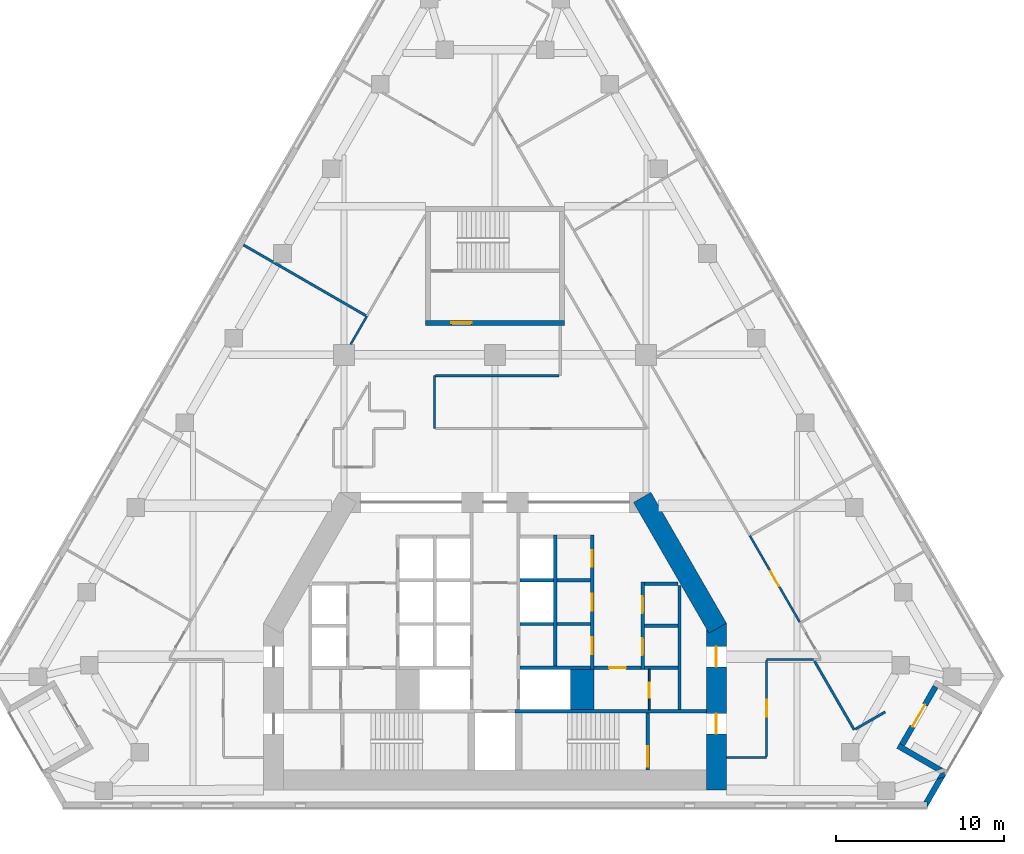
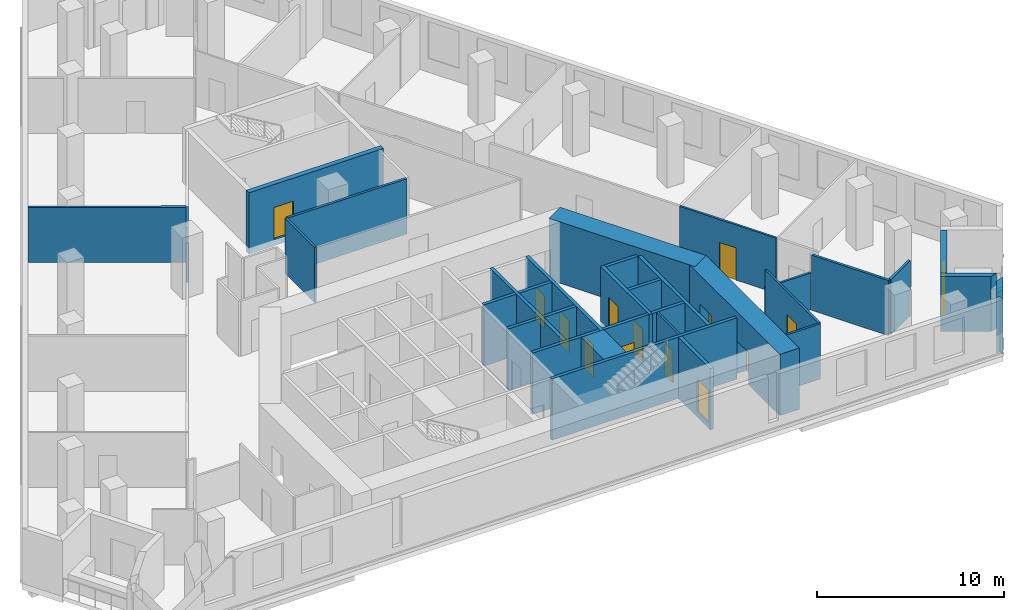
# One storey, part 6 of 10: 34 walls, 14 doors, 14 openings.
"""IFC4 building model written with IfcOpenShell, lengths in metres."""

from ifc_helpers import new_model, si_unit, direction, frame, frame_2d, origin, place, context, subcontext, project, spatial, polyline, rectangle, outline, extrude, material, layer, layer_set, type_object, element, fill, save


model = new_model("IFC4")

# Units and contexts
model_context = context("Model", 3, precision=1e-05, world=origin(), true_north=direction((0.0, 1.0)))
body_context = subcontext(model_context, "Body", "Model", "MODEL_VIEW")
ifc_project = project(units=[si_unit("LENGTHUNIT", "METRE"), si_unit("AREAUNIT", "SQUARE_METRE"), si_unit("VOLUMEUNIT", "CUBIC_METRE"), si_unit("PLANEANGLEUNIT", "RADIAN"), si_unit("MASSUNIT", "GRAM", prefix="KILO")], contexts=[model_context])

# Site, building, storey
site_placement = place(None, origin())
site = spatial("IfcSite", under=ifc_project, at=site_placement, CompositionType="ELEMENT")
building_placement = place(site_placement, origin())
building = spatial("IfcBuilding", under=site, at=building_placement, Name="Fogline Exchange Tower", CompositionType="ELEMENT")
storey_placement = place(building_placement, frame((0.0, 0.0, 112.10009765625)))
storey = spatial("IfcBuildingStorey", under=building, at=storey_placement, Name="L24", CompositionType="ELEMENT", Elevation=112.10009765625)

# Wall, opening, door
ifc_material_1 = material(Name="Blockwork partition", Category="masonry")
ifc_layer_1 = layer(ifc_material_1, 0.10009765625)
ifc_layer_set_1 = layer_set([ifc_layer_1], Name="CW10")
wall_type_1 = type_object("IfcWallType", Name="CW10", PredefinedType="PARTITIONING", material=ifc_layer_set_1)
wall_1_placement = place(storey_placement, frame((9.199951171875, 5.85009765625, 0.0), z_axis=(0.0, 0.0, 1.0), x_axis=(0.0, 1.0, 0.0)))
wall_1 = element("IfcWall", 1, at=wall_1_placement, inside=storey, type_object=wall_type_1, Name="WC partition", PredefinedType="PARTITIONING", context=body_context, shape_type="SweptSolid", body=[
    extrude(rectangle(XDim=2.39990234375, YDim=0.10009765625, at=frame_2d((1.199951171875, 0.0))), origin(), (0.0, 0.0, 1.0), 3.599853515625),
])
opening_1_placement = place(wall_1_placement, frame((0.699951171875, 0.0, 0.0)))
opening_1 = element("IfcOpeningElement", 2, at=opening_1_placement, cuts=wall_1, Name="Opening T07-C014", PredefinedType="OPENING", context=body_context, shape_type="SweptSolid", body=[
    extrude(rectangle(XDim=0.89990234375, YDim=2.10009765625, at=frame_2d((0.449951171875, 1.050048828125))), frame((0.0, 0.06005859375, 0.0), z_axis=(0.0, -1.0, 0.0), x_axis=(1.0, 0.0, 0.0)), (0.0, 0.0, 1.0), 0.1201171875),
])
ifc_material_2 = material(Name="Steel and timber fire door", Category="steel")
door_type_1 = type_object("IfcDoorType", Name="D-CS1", OperationType="SINGLE_SWING_RIGHT", PredefinedType="DOOR", material=ifc_material_2)
door_1_placement = place(opening_1_placement, frame((0.89990234375, 0.0, 0.0), z_axis=(0.0, 0.0, 1.0), x_axis=(-1.0, 0.0, 0.0)))
door_1 = element("IfcDoor", 3, at=door_1_placement, inside=storey, type_object=door_type_1, Name="Door to Cleaner's Store", OperationType="SINGLE_SWING_RIGHT", OverallHeight=2.10009765625, OverallWidth=0.89990234375, PredefinedType="DOOR", context=body_context, shape_type="SweptSolid", body=[
    extrude(rectangle(XDim=0.89990234375, YDim=2.10009765625, at=frame_2d((0.449951171875, 1.050048828125))), frame((0.0, 0.02490234375, 0.0), z_axis=(0.0, -1.0, 0.0), x_axis=(1.0, 0.0, 0.0)), (0.0, 0.0, 1.0), 0.050048828125),
])
fill(opening_1, door_1)

# Walls
ifc_material_3 = material(Name="Concrete C60", Category="concrete")
ifc_layer_2 = layer(ifc_material_3, 1.39990234375)
ifc_layer_set_2 = layer_set([ifc_layer_2], Name="CW140")
wall_type_2 = type_object("IfcWallType", Name="CW140", PredefinedType="SOLIDWALL", material=ifc_layer_set_2)
wall_2_placement = place(storey_placement, frame((5.199951171875, 5.85009765625, -0.400146484375), z_axis=(0.0, 0.0, 1.0), x_axis=(0.0, 1.0, 0.0)))
element("IfcWall", 4, at=wall_2_placement, inside=storey, type_object=wall_type_2, Name="Lift shaft block wall", PredefinedType="SOLIDWALL", context=body_context, shape_type="SweptSolid", body=[
    extrude(rectangle(XDim=2.39990234375, YDim=1.39990234375, at=frame_2d((1.199951171875, 0.0))), origin(), (0.0, 0.0, 1.0), 4.0),
])
ifc_material_4 = material(Name="Concrete C40", Category="concrete")
ifc_layer_3 = layer(ifc_material_4, 0.199951171875)
ifc_layer_set_3 = layer_set([ifc_layer_3], Name="CW20")
wall_type_3 = type_object("IfcWallType", Name="CW20", PredefinedType="SOLIDWALL", material=ifc_layer_set_3)
wall_3_placement = place(storey_placement, frame((11.0, 5.85009765625, 0.0), z_axis=(0.0, 0.0, 1.0), x_axis=(0.0, 1.0, 0.0)))
element("IfcWall", 5, at=wall_3_placement, inside=storey, type_object=wall_type_3, Name="Service room wall", PredefinedType="SOLIDWALL", context=body_context, shape_type="SweptSolid", body=[
    extrude(rectangle(XDim=7.39990234375, YDim=0.199951171875, at=frame_2d((3.699951171875, 0.0))), origin(), (0.0, 0.0, 1.0), 3.599853515625),
])

# Wall, opening, door
wall_4_placement = place(storey_placement, frame((5.89990234375, 8.35009765625, 0.0), z_axis=(0.0, 0.0, 1.0), x_axis=(1.0, 0.0, 0.0)))
wall_4 = element("IfcWall", 6, at=wall_4_placement, inside=storey, type_object=wall_type_3, Name="WC wall", PredefinedType="SOLIDWALL", context=body_context, shape_type="SweptSolid", body=[
    extrude(rectangle(XDim=2.800048828125, YDim=0.199951171875, at=frame_2d((1.39990234375, 0.0))), origin(), (0.0, 0.0, 1.0), 3.599853515625),
])
opening_2_placement = place(wall_4_placement, frame((0.89990234375, 0.0, 0.0)))
opening_2 = element("IfcOpeningElement", 7, at=opening_2_placement, cuts=wall_4, Name="Opening T07-C013", PredefinedType="OPENING", context=body_context, shape_type="SweptSolid", body=[
    extrude(rectangle(XDim=1.0, YDim=2.10009765625, at=frame_2d((0.5, 1.050048828125))), frame((0.0, 0.10986328125, 0.0), z_axis=(0.0, -1.0, 0.0), x_axis=(1.0, 0.0, 0.0)), (0.0, 0.0, 1.0), 0.219970703125),
])
door_type_2 = type_object("IfcDoorType", Name="D-WC1", OperationType="SINGLE_SWING_LEFT", PredefinedType="DOOR", material=ifc_material_2)
door_2_placement = place(opening_2_placement, frame((1.0, 0.0, 0.0), z_axis=(0.0, 0.0, 1.0), x_axis=(-1.0, 0.0, 0.0)))
door_2 = element("IfcDoor", 8, at=door_2_placement, inside=storey, type_object=door_type_2, Name="Door to Women's WC", OperationType="SINGLE_SWING_LEFT", OverallHeight=2.10009765625, OverallWidth=1.0, PredefinedType="DOOR", context=body_context, shape_type="SweptSolid", body=[
    extrude(rectangle(XDim=1.0, YDim=2.10009765625, at=frame_2d((0.5, 1.050048828125))), frame((0.0, 0.02490234375, 0.0), z_axis=(0.0, -1.0, 0.0), x_axis=(1.0, 0.0, 0.0)), (0.0, 0.0, 1.0), 0.050048828125),
])
fill(opening_2, door_2)

# Wall
ifc_layer_4 = layer(ifc_material_4, 0.199951171875)
ifc_layer_set_4 = layer_set([ifc_layer_4], Name="CW20R")
wall_type_4 = type_object("IfcWallType", Name="CW20R", PredefinedType="SOLIDWALL", material=ifc_layer_set_4)
wall_5_placement = place(storey_placement, frame((1.199951171875, 5.75, -0.400146484375), z_axis=(0.0, 0.0, 1.0), x_axis=(1.0, 0.0, 0.0)))
element("IfcWall", 9, at=wall_5_placement, inside=storey, type_object=wall_type_4, Name="Stair enclosure wall", PredefinedType="SOLIDWALL", context=body_context, shape_type="SweptSolid", body=[
    extrude(rectangle(XDim=11.400146484375, YDim=0.199951171875, at=frame_2d((5.7001953125, 0.0))), origin(), (0.0, 0.0, 1.0), 4.0),
])

# Wall, opening, door
wall_6_placement = place(storey_placement, frame((9.10009765625, 2.25, -0.400146484375), z_axis=(0.0, 0.0, 1.0), x_axis=(0.0, 1.0, 0.0)))
wall_6 = element("IfcWall", 10, at=wall_6_placement, inside=storey, type_object=wall_type_4, Name="Stair enclosure wall", PredefinedType="SOLIDWALL", context=body_context, shape_type="SweptSolid", body=[
    extrude(rectangle(XDim=3.39990234375, YDim=0.199951171875, at=frame_2d((1.699951171875, 0.0))), origin(), (0.0, 0.0, 1.0), 4.0),
])
opening_3_placement = place(wall_6_placement, frame((0.199951171875, 0.0, 0.39990234375)))
opening_3 = element("IfcOpeningElement", 11, at=opening_3_placement, cuts=wall_6, Name="Opening T07-C016", PredefinedType="OPENING", context=body_context, shape_type="SweptSolid", body=[
    extrude(rectangle(XDim=1.199951171875, YDim=2.10009765625, at=frame_2d((0.60009765625, 1.050048828125))), frame((0.0, 0.10986328125, 0.0), z_axis=(0.0, -1.0, 0.0), x_axis=(1.0, 0.0, 0.0)), (0.0, 0.0, 1.0), 0.219970703125),
])
door_type_3 = type_object("IfcDoorType", Name="D-ST1", OperationType="SINGLE_SWING_LEFT", PredefinedType="DOOR", material=ifc_material_2)
door_3_placement = place(opening_3_placement, origin())
door_3 = element("IfcDoor", 12, at=door_3_placement, inside=storey, type_object=door_type_3, Name="Stair door ST2", OperationType="SINGLE_SWING_LEFT", OverallHeight=2.10009765625, OverallWidth=1.199951171875, PredefinedType="DOOR", context=body_context, shape_type="SweptSolid", body=[
    extrude(rectangle(XDim=1.199951171875, YDim=2.10009765625, at=frame_2d((0.60009765625, 1.050048828125))), frame((0.0, 0.02490234375, 0.0), z_axis=(0.0, -1.0, 0.0), x_axis=(1.0, 0.0, 0.0)), (0.0, 0.0, 1.0), 0.050048828125),
])
fill(opening_3, door_3)

# Wall, openings, doors
ifc_layer_5 = layer(ifc_material_4, 0.199951171875)
ifc_layer_set_5 = layer_set([ifc_layer_5], Name="CW20S")
wall_type_5 = type_object("IfcWallType", Name="CW20S", PredefinedType="SOLIDWALL", material=ifc_layer_set_5)
wall_7_placement = place(storey_placement, frame((8.800048828125, 8.25, -0.400146484375), z_axis=(0.0, 0.0, 1.0), x_axis=(0.0, 1.0, 0.0)))
wall_7 = element("IfcWall", 13, at=wall_7_placement, inside=storey, type_object=wall_type_5, Name="Lift shaft wall", PredefinedType="SOLIDWALL", context=body_context, shape_type="SweptSolid", body=[
    extrude(rectangle(XDim=5.199951171875, YDim=0.199951171875, at=frame_2d((2.60009765625, 0.0))), origin(), (0.0, 0.0, 1.0), 4.0),
])
opening_4_placement = place(wall_7_placement, frame((0.85009765625, 0.0, 0.39990234375)))
opening_4 = element("IfcOpeningElement", 14, at=opening_4_placement, cuts=wall_7, Name="Opening T07-C001", PredefinedType="OPENING", context=body_context, shape_type="SweptSolid", body=[
    extrude(rectangle(XDim=1.0, YDim=2.10009765625, at=frame_2d((0.5, 1.050048828125))), frame((0.0, 0.10986328125, 0.0), z_axis=(0.0, -1.0, 0.0), x_axis=(1.0, 0.0, 0.0)), (0.0, 0.0, 1.0), 0.219970703125),
])
opening_5_placement = place(wall_7_placement, frame((3.35009765625, 0.0, 0.39990234375)))
opening_5 = element("IfcOpeningElement", 15, at=opening_5_placement, cuts=wall_7, Name="Opening T07-C002", PredefinedType="OPENING", context=body_context, shape_type="SweptSolid", body=[
    extrude(rectangle(XDim=1.0, YDim=2.10009765625, at=frame_2d((0.5, 1.050048828125))), frame((0.0, 0.10986328125, 0.0), z_axis=(0.0, -1.0, 0.0), x_axis=(1.0, 0.0, 0.0)), (0.0, 0.0, 1.0), 0.219970703125),
])
door_type_4 = type_object("IfcDoorType", Name="D-RM1", OperationType="SINGLE_SWING_LEFT", PredefinedType="DOOR", material=ifc_material_2)
door_4_placement = place(opening_4_placement, frame((1.0, 0.0, 0.0), z_axis=(0.0, 0.0, 1.0), x_axis=(-1.0, 0.0, 0.0)))
door_4 = element("IfcDoor", 16, at=door_4_placement, inside=storey, type_object=door_type_4, Name="Door to Stationery Store", OperationType="SINGLE_SWING_LEFT", OverallHeight=2.10009765625, OverallWidth=1.0, PredefinedType="DOOR", context=body_context, shape_type="SweptSolid", body=[
    extrude(rectangle(XDim=1.0, YDim=2.10009765625, at=frame_2d((0.5, 1.050048828125))), frame((0.0, 0.02490234375, 0.0), z_axis=(0.0, -1.0, 0.0), x_axis=(1.0, 0.0, 0.0)), (0.0, 0.0, 1.0), 0.050048828125),
])
fill(opening_4, door_4)
door_5_placement = place(opening_5_placement, frame((1.0, 0.0, 0.0), z_axis=(0.0, 0.0, 1.0), x_axis=(-1.0, 0.0, 0.0)))
door_5 = element("IfcDoor", 17, at=door_5_placement, inside=storey, type_object=door_type_4, Name="Door to Records Store", OperationType="SINGLE_SWING_LEFT", OverallHeight=2.10009765625, OverallWidth=1.0, PredefinedType="DOOR", context=body_context, shape_type="SweptSolid", body=[
    extrude(rectangle(XDim=1.0, YDim=2.10009765625, at=frame_2d((0.5, 1.050048828125))), frame((0.0, 0.02490234375, 0.0), z_axis=(0.0, -1.0, 0.0), x_axis=(1.0, 0.0, 0.0)), (0.0, 0.0, 1.0), 0.050048828125),
])
fill(opening_5, door_5)

wall_8_placement = place(storey_placement, frame((5.800048828125, 8.25, -0.400146484375), z_axis=(0.0, 0.0, 1.0), x_axis=(0.0, 1.0, 0.0)))
wall_8 = element("IfcWall", 18, at=wall_8_placement, inside=storey, type_object=wall_type_5, Name="Lift shaft wall", PredefinedType="SOLIDWALL", context=body_context, shape_type="SweptSolid", body=[
    extrude(rectangle(XDim=8.0, YDim=0.199951171875, at=frame_2d((4.0, 0.0))), origin(), (0.0, 0.0, 1.0), 4.0),
])
opening_6_placement = place(wall_8_placement, frame((0.89990234375, 0.0, 0.39990234375)))
opening_6 = element("IfcOpeningElement", 19, at=opening_6_placement, cuts=wall_8, Name="Opening T07-C003", PredefinedType="OPENING", context=body_context, shape_type="SweptSolid", body=[
    extrude(rectangle(XDim=1.0, YDim=2.10009765625, at=frame_2d((0.5, 1.050048828125))), frame((0.0, 0.10986328125, 0.0), z_axis=(0.0, -1.0, 0.0), x_axis=(1.0, 0.0, 0.0)), (0.0, 0.0, 1.0), 0.219970703125),
])
opening_7_placement = place(wall_8_placement, frame((3.5, 0.0, 0.39990234375)))
opening_7 = element("IfcOpeningElement", 20, at=opening_7_placement, cuts=wall_8, Name="Opening T07-C004", PredefinedType="OPENING", context=body_context, shape_type="SweptSolid", body=[
    extrude(rectangle(XDim=1.0, YDim=2.10009765625, at=frame_2d((0.5, 1.050048828125))), frame((0.0, 0.10986328125, 0.0), z_axis=(0.0, -1.0, 0.0), x_axis=(1.0, 0.0, 0.0)), (0.0, 0.0, 1.0), 0.219970703125),
])
opening_8_placement = place(wall_8_placement, frame((6.10009765625, 0.0, 0.39990234375)))
opening_8 = element("IfcOpeningElement", 21, at=opening_8_placement, cuts=wall_8, Name="Opening T07-C005", PredefinedType="OPENING", context=body_context, shape_type="SweptSolid", body=[
    extrude(rectangle(XDim=1.0, YDim=2.10009765625, at=frame_2d((0.5, 1.050048828125))), frame((0.0, 0.10986328125, 0.0), z_axis=(0.0, -1.0, 0.0), x_axis=(1.0, 0.0, 0.0)), (0.0, 0.0, 1.0), 0.219970703125),
])
door_6_placement = place(opening_6_placement, origin())
door_6 = element("IfcDoor", 22, at=door_6_placement, inside=storey, type_object=door_type_4, Name="Door to Riser Room", OperationType="SINGLE_SWING_RIGHT", OverallHeight=2.10009765625, OverallWidth=1.0, PredefinedType="DOOR", context=body_context, shape_type="SweptSolid", body=[
    extrude(rectangle(XDim=1.0, YDim=2.10009765625, at=frame_2d((0.5, 1.050048828125))), frame((0.0, 0.02490234375, 0.0), z_axis=(0.0, -1.0, 0.0), x_axis=(1.0, 0.0, 0.0)), (0.0, 0.0, 1.0), 0.050048828125),
])
fill(opening_6, door_6)
door_7_placement = place(opening_7_placement, origin())
door_7 = element("IfcDoor", 23, at=door_7_placement, inside=storey, type_object=door_type_4, Name="Door to Plant Room", OperationType="SINGLE_SWING_LEFT", OverallHeight=2.10009765625, OverallWidth=1.0, PredefinedType="DOOR", context=body_context, shape_type="SweptSolid", body=[
    extrude(rectangle(XDim=1.0, YDim=2.10009765625, at=frame_2d((0.5, 1.050048828125))), frame((0.0, 0.02490234375, 0.0), z_axis=(0.0, -1.0, 0.0), x_axis=(1.0, 0.0, 0.0)), (0.0, 0.0, 1.0), 0.050048828125),
])
fill(opening_7, door_7)
door_8_placement = place(opening_8_placement, origin())
door_8 = element("IfcDoor", 24, at=door_8_placement, inside=storey, type_object=door_type_4, Name="Door to Cable Store", OperationType="SINGLE_SWING_LEFT", OverallHeight=2.10009765625, OverallWidth=1.0, PredefinedType="DOOR", context=body_context, shape_type="SweptSolid", body=[
    extrude(rectangle(XDim=1.0, YDim=2.10009765625, at=frame_2d((0.5, 1.050048828125))), frame((0.0, 0.02490234375, 0.0), z_axis=(0.0, -1.0, 0.0), x_axis=(1.0, 0.0, 0.0)), (0.0, 0.0, 1.0), 0.050048828125),
])
fill(opening_8, door_8)

# Walls
wall_9_placement = place(storey_placement, frame((3.60009765625, 8.449951171875, -0.400146484375), z_axis=(0.0, 0.0, 1.0), x_axis=(0.0, 1.0, 0.0)))
element("IfcWall", 25, at=wall_9_placement, inside=storey, type_object=wall_type_5, Name="Lift shaft wall", PredefinedType="SOLIDWALL", context=body_context, shape_type="SweptSolid", body=[
    extrude(rectangle(XDim=7.800048828125, YDim=0.199951171875, at=frame_2d((3.89990234375, 0.0))), origin(), (0.0, 0.0, 1.0), 4.0),
])
wall_10_placement = place(storey_placement, frame((8.89990234375, 8.35009765625, -0.400146484375), z_axis=(0.0, 0.0, 1.0), x_axis=(1.0, 0.0, 0.0)))
element("IfcWall", 26, at=wall_10_placement, inside=storey, type_object=wall_type_5, Name="Lift shaft wall", PredefinedType="SOLIDWALL", context=body_context, shape_type="SweptSolid", body=[
    extrude(rectangle(XDim=2.0, YDim=0.199951171875, at=frame_2d((1.0, 0.0))), origin(), (0.0, 0.0, 1.0), 4.0),
])
wall_11_placement = place(storey_placement, frame((1.5, 8.35009765625, -0.400146484375), z_axis=(0.0, 0.0, 1.0), x_axis=(1.0, 0.0, 0.0)))
element("IfcWall", 27, at=wall_11_placement, inside=storey, type_object=wall_type_5, Name="Lift shaft wall", PredefinedType="SOLIDWALL", context=body_context, shape_type="SweptSolid", body=[
    extrude(rectangle(XDim=4.199951171875, YDim=0.199951171875, at=frame_2d((2.10009765625, 0.0))), origin(), (0.0, 0.0, 1.0), 4.0),
])
for number, where, z_axis, x_axis, name in (
    (28, (8.89990234375, 10.85009765625, -0.400146484375), (0.0, 0.0, 1.0), (1.0, 0.0, 0.0), "Lift shaft wall"),
    (29, (8.89990234375, 13.35009765625, -0.400146484375), (0.0, 0.0, 1.0), (1.0, 0.0, 0.0), "Lift shaft wall"),
    (30, (3.699951171875, 10.949951171875, -0.400146484375), (0.0, 0.0, 1.0), (1.0, 0.0, 0.0), "Lift shaft wall"),
    (31, (3.699951171875, 13.550048828125, -0.400146484375), (0.0, 0.0, 1.0), (1.0, 0.0, 0.0), "Lift shaft wall"),
    (32, (1.5, 10.949951171875, -0.400146484375), (0.0, 0.0, 1.0), (1.0, 0.0, 0.0), "Lift shaft wall"),
    (33, (1.5, 13.550048828125, -0.400146484375), (0.0, 0.0, 1.0), (1.0, 0.0, 0.0), "Lift shaft wall"),
):
    element("IfcWall", number, at=place(storey_placement, frame(where, z_axis=z_axis, x_axis=x_axis)), inside=storey, type_object=wall_type_5, Name=name, PredefinedType="SOLIDWALL", context=body_context, shape_type="SweptSolid", body=[
        extrude(rectangle(XDim=2.0, YDim=0.199951171875, at=frame_2d((1.0, 0.0))), origin(), (0.0, 0.0, 1.0), 4.0),
    ])

# Wall, opening, door
ifc_layer_6 = layer(ifc_material_4, 0.300048828125)
ifc_layer_set_6 = layer_set([ifc_layer_6], Name="CW30")
wall_type_6 = type_object("IfcWallType", Name="CW30", PredefinedType="SOLIDWALL", material=ifc_layer_set_6)
wall_12_placement = place(storey_placement, frame((-4.14990234375, 28.906982421875, -0.400146484375), z_axis=(0.0, 0.0, 1.0), x_axis=(1.0, 0.0, 0.0)))
wall_12 = element("IfcWall", 34, at=wall_12_placement, inside=storey, type_object=wall_type_6, Name="Stair enclosure wall ST3", PredefinedType="SOLIDWALL", context=body_context, shape_type="SweptSolid", body=[
    extrude(rectangle(XDim=8.2998046875, YDim=0.300048828125, at=frame_2d((4.14990234375, 0.0))), origin(), (0.0, 0.0, 1.0), 4.0),
])
opening_9_placement = place(wall_12_placement, frame((1.550048828125, 0.0, 0.39990234375)))
opening_9 = element("IfcOpeningElement", 35, at=opening_9_placement, cuts=wall_12, Name="Opening T07-C022", PredefinedType="OPENING", context=body_context, shape_type="SweptSolid", body=[
    extrude(rectangle(XDim=1.199951171875, YDim=2.10009765625, at=frame_2d((0.60009765625, 1.050048828125))), frame((0.0, 0.16015625, 0.0), z_axis=(0.0, -1.0, 0.0), x_axis=(1.0, 0.0, 0.0)), (0.0, 0.0, 1.0), 0.320068359375),
])
door_type_5 = type_object("IfcDoorType", Name="D-FR1", OperationType="SINGLE_SWING_RIGHT", PredefinedType="DOOR", material=ifc_material_2)
door_9_placement = place(opening_9_placement, origin())
door_9 = element("IfcDoor", 36, at=door_9_placement, inside=storey, type_object=door_type_5, Name="Front room door ST3", OperationType="SINGLE_SWING_LEFT", OverallHeight=2.10009765625, OverallWidth=1.199951171875, PredefinedType="DOOR", context=body_context, shape_type="SweptSolid", body=[
    extrude(rectangle(XDim=1.199951171875, YDim=2.10009765625, at=frame_2d((0.60009765625, 1.050048828125))), frame((0.0, 0.02490234375, 0.0), z_axis=(0.0, -1.0, 0.0), x_axis=(1.0, 0.0, 0.0)), (0.0, 0.0, 1.0), 0.050048828125),
])
fill(opening_9, door_9)

# Walls
ifc_material_5 = material(Name="Brick masonry", Category="masonry")
ifc_layer_7 = layer(ifc_material_5, 0.340087890625)
ifc_layer_set_7 = layer_set([ifc_layer_7], Name="FW1")
wall_type_7 = type_object("IfcWallType", Name="FW1", PredefinedType="SOLIDWALL", material=ifc_layer_set_7)
wall_13_placement = place(storey_placement, origin())
element("IfcWall", 37, at=wall_13_placement, inside=storey, type_object=wall_type_7, Name="Brick wall L24 SE-c1", PredefinedType="SOLIDWALL", context=body_context, shape_type="SweptSolid", body=[
    extrude(outline(polyline([(26.83203125, 1.845703125), (26.35009765625, 1.693359375), (26.55078125, 2.041015625), (26.81298828125, 2.111328125), (26.8740234375, 1.91845703125), (26.83203125, 1.845703125)])), origin(), (0.0, 0.0, 1.0), 2.7998046875),
])
wall_14_placement = place(storey_placement, origin())
element("IfcWall", 38, at=wall_14_placement, inside=storey, type_object=wall_type_7, Name="Brick wall L24 SE-c1", PredefinedType="SOLIDWALL", context=body_context, shape_type="SweptSolid", body=[
    extrude(outline(polyline([(25.765625, -0.001220703125), (25.76513671875, -0.0009765625), (25.76513671875, 0.33935546875), (25.568359375, 0.33935546875), (26.35009765625, 1.693359375), (26.83203125, 1.845703125), (25.765625, -0.001220703125)])), origin(), (0.0, 0.0, 1.0), 3.599853515625),
])
wall_15_placement = place(storey_placement, origin())
element("IfcWall", 39, at=wall_15_placement, inside=storey, type_object=wall_type_7, Name="Brick wall L24 SE-s1", PredefinedType="SOLIDWALL", context=body_context, shape_type="SweptSolid", body=[
    extrude(outline(polyline([(24.122802734375, 3.8359375), (24.41796875, 3.66552734375), (26.721923828125, 2.33544921875), (26.281005859375, 2.196044921875), (23.952392578125, 3.540283203125), (24.122802734375, 3.8359375)])), origin(), (0.0, 0.0, 1.0), 3.599853515625),
])

# Wall, opening, door
wall_16_placement = place(storey_placement, frame((24.270263671875, 3.75, 0.0), z_axis=(0.0, 0.0, 1.0), x_axis=(0.49999894854, 0.866026010844, 0.0)))
wall_16 = element("IfcWall", 40, at=wall_16_placement, inside=storey, type_object=wall_type_7, Name="Brick wall L24 SE-bk", PredefinedType="SOLIDWALL", context=body_context, shape_type="SweptSolid", body=[
    extrude(rectangle(XDim=4.0, YDim=0.340087890625, at=frame_2d((2.0, 0.0))), origin(), (0.0, 0.0, 1.0), 3.599853515625),
])
opening_10_placement = place(wall_16_placement, frame((1.25, 0.0, 0.0)))
opening_10 = element("IfcOpeningElement", 41, at=opening_10_placement, cuts=wall_16, Name="Opening T07-E081", PredefinedType="OPENING", context=body_context, shape_type="SweptSolid", body=[
    extrude(rectangle(XDim=1.5, YDim=2.39990234375, at=frame_2d((0.75, 1.199951171875))), frame((0.0, 0.18017578125, 0.0), z_axis=(0.0, -1.0, 0.0), x_axis=(1.0, 0.0, 0.0)), (0.0, 0.0, 1.0), 0.360107421875),
])
ifc_material_6 = material(Name="Aluminium and glass", Category="aluminium")
door_type_6 = type_object("IfcDoorType", Name="ED4", OperationType="SINGLE_SWING_LEFT", PredefinedType="DOOR", material=ifc_material_6)
door_10_placement = place(opening_10_placement, frame((1.5, 0.0, 0.0), z_axis=(0.0, 0.0, 1.0), x_axis=(-1.0, 0.0, 0.0)))
door_10 = element("IfcDoor", 42, at=door_10_placement, inside=storey, type_object=door_type_6, Name="Balcony door L24 SE", OperationType="DOUBLE_DOOR_SINGLE_SWING", OverallHeight=2.39990234375, OverallWidth=1.5, PredefinedType="DOOR", context=body_context, shape_type="SweptSolid", body=[
    extrude(rectangle(XDim=1.5, YDim=2.39990234375, at=frame_2d((0.75, 1.199951171875))), frame((0.0, 0.02490234375, 0.0), z_axis=(0.0, -1.0, 0.0), x_axis=(1.0, 0.0, 0.0)), (0.0, 0.0, 1.0), 0.050048828125),
])
fill(opening_10, door_10)

ifc_material_7 = material(Name="Plasterboard corridor partition with mineral wool, 2 layers each side")
ifc_layer_8 = layer(ifc_material_7, 0.125)
ifc_layer_set_8 = layer_set([ifc_layer_8], Name="PW2")
wall_type_8 = type_object("IfcWallType", Name="PW2", PredefinedType="PARTITIONING", material=ifc_layer_set_8)
wall_17_placement = place(storey_placement, frame((16.199951171875, 8.777587890625, 0.0), z_axis=(0.0, 0.0, 1.0), x_axis=(0.0, -1.0, 0.0)))
wall_17 = element("IfcWall", 43, at=wall_17_placement, inside=storey, type_object=wall_type_8, Name="wall-L24-W001", PredefinedType="PARTITIONING", context=body_context, shape_type="SweptSolid", body=[
    extrude(rectangle(XDim=5.715087890625, YDim=0.125, at=frame_2d((2.857421875, 0.0))), origin(), (0.0, 0.0, 1.0), 3.599853515625),
])
opening_11_placement = place(wall_17_placement, frame((2.357421875, 0.0, 0.0)))
opening_11 = element("IfcOpeningElement", 44, at=opening_11_placement, cuts=wall_17, Name="Opening T07-D001", PredefinedType="OPENING", context=body_context, shape_type="SweptSolid", body=[
    extrude(rectangle(XDim=1.0, YDim=2.10009765625, at=frame_2d((0.5, 1.050048828125))), frame((0.0, 0.072509765625, 0.0), z_axis=(0.0, -1.0, 0.0), x_axis=(1.0, 0.0, 0.0)), (0.0, 0.0, 1.0), 0.14501953125),
])
ifc_material_8 = material(Name="Fire-rated timber door leaf with steel frame", Category="steel")
door_type_7 = type_object("IfcDoorType", Name="D3", OperationType="SINGLE_SWING_LEFT", PredefinedType="DOOR", material=ifc_material_8)
door_11_placement = place(opening_11_placement, origin())
door_11 = element("IfcDoor", 45, at=door_11_placement, inside=storey, type_object=door_type_7, Name="door-L24-D001", OperationType="SINGLE_SWING_LEFT", OverallHeight=2.10009765625, OverallWidth=1.0, PredefinedType="DOOR", context=body_context, shape_type="SweptSolid", body=[
    extrude(rectangle(XDim=1.0, YDim=2.10009765625, at=frame_2d((0.5, 1.050048828125))), frame((0.0, 0.02490234375, 0.0), z_axis=(0.0, -1.0, 0.0), x_axis=(1.0, 0.0, 0.0)), (0.0, 0.0, 1.0), 0.050048828125),
])
fill(opening_11, door_11)

# Walls
wall_18_placement = place(storey_placement, frame((16.199951171875, 3.0, 0.0), z_axis=(0.0, 0.0, 1.0), x_axis=(-1.0, 0.0, 0.0)))
element("IfcWall", 46, at=wall_18_placement, inside=storey, type_object=wall_type_8, Name="wall-L24-W002", PredefinedType="PARTITIONING", context=body_context, shape_type="SweptSolid", body=[
    extrude(rectangle(XDim=2.39990234375, YDim=0.125, at=frame_2d((1.199951171875, 0.0))), origin(), (0.0, 0.0, 1.0), 3.599853515625),
])
wall_19_placement = place(storey_placement, frame((-8.60888671875, 27.625, 0.0), z_axis=(0.0, 0.0, 1.0), x_axis=(0.500027802648, 0.866009351323, 0.0)))
element("IfcWall", 47, at=wall_19_placement, inside=storey, type_object=wall_type_8, Name="wall-L24-W012", PredefinedType="PARTITIONING", context=body_context, shape_type="SweptSolid", body=[
    extrude(rectangle(XDim=1.93798828125, YDim=0.125, at=frame_2d((0.968994140625, 0.0))), origin(), (0.0, 0.0, 1.0), 3.599853515625),
])
wall_20_placement = place(storey_placement, frame((18.992431640625, 8.840087890625, 0.0), z_axis=(0.0, 0.0, 1.0), x_axis=(-1.0, 0.0, 0.0)))
element("IfcWall", 48, at=wall_20_placement, inside=storey, type_object=wall_type_8, Name="wall-L24-W025", PredefinedType="PARTITIONING", context=body_context, shape_type="SweptSolid", body=[
    extrude(rectangle(XDim=2.79248046875, YDim=0.125, at=frame_2d((1.396240234375, 0.0))), origin(), (0.0, 0.0, 1.0), 2.39990234375),
])

# Wall, opening, door
wall_21_placement = place(storey_placement, frame((15.197265625, 16.21337890625, 0.0), z_axis=(0.0, 0.0, 1.0), x_axis=(0.500000694566, -0.866025002776, 0.0)))
wall_21 = element("IfcWall", 49, at=wall_21_placement, inside=storey, type_object=wall_type_8, Name="wall-L24-W028", PredefinedType="PARTITIONING", context=body_context, shape_type="SweptSolid", body=[
    extrude(rectangle(XDim=5.94970703125, YDim=0.125, at=frame_2d((2.974853515625, 0.0))), origin(), (0.0, 0.0, 1.0), 3.599853515625),
])
opening_12_placement = place(wall_21_placement, frame((2.474609375, 0.0, 0.0)))
opening_12 = element("IfcOpeningElement", 50, at=opening_12_placement, cuts=wall_21, Name="Opening T07-D012", PredefinedType="OPENING", context=body_context, shape_type="SweptSolid", body=[
    extrude(rectangle(XDim=1.0, YDim=2.10009765625, at=frame_2d((0.5, 1.050048828125))), frame((0.0, 0.072509765625, 0.0), z_axis=(0.0, -1.0, 0.0), x_axis=(1.0, 0.0, 0.0)), (0.0, 0.0, 1.0), 0.14501953125),
])
door_12_placement = place(opening_12_placement, origin())
door_12 = element("IfcDoor", 51, at=door_12_placement, inside=storey, type_object=door_type_7, Name="door-L24-D012", OperationType="SINGLE_SWING_LEFT", OverallHeight=2.10009765625, OverallWidth=1.0, PredefinedType="DOOR", context=body_context, shape_type="SweptSolid", body=[
    extrude(rectangle(XDim=1.0, YDim=2.10009765625, at=frame_2d((0.5, 1.050048828125))), frame((0.0, 0.02490234375, 0.0), z_axis=(0.0, -1.0, 0.0), x_axis=(1.0, 0.0, 0.0)), (0.0, 0.0, 1.0), 0.050048828125),
])
fill(opening_12, door_12)

# Walls
wall_22_placement = place(storey_placement, frame((-3.60009765625, 25.757080078125, 0.0), z_axis=(0.0, 0.0, 1.0), x_axis=(0.0, -1.0, 0.0)))
element("IfcWall", 52, at=wall_22_placement, inside=storey, type_object=wall_type_8, Name="wall-L24-W031", PredefinedType="PARTITIONING", context=body_context, shape_type="SweptSolid", body=[
    extrude(rectangle(XDim=3.156982421875, YDim=0.125, at=frame_2d((1.57861328125, 0.0))), origin(), (0.0, 0.0, 1.0), 3.599853515625),
])
ifc_material_9 = material(Name="Plasterboard demising partition with mineral wool and acoustic board")
ifc_layer_9 = layer(ifc_material_9, 0.14990234375)
ifc_layer_set_9 = layer_set([ifc_layer_9], Name="PW3")
wall_type_9 = type_object("IfcWallType", Name="PW3", PredefinedType="PARTITIONING", material=ifc_layer_set_9)
wall_23_placement = place(storey_placement, frame((-7.69384765625, 29.334716796875, 0.0), z_axis=(0.0, 0.0, 1.0), x_axis=(-0.866039105107, 0.499976267863, 0.0)))
element("IfcWall", 53, at=wall_23_placement, inside=storey, type_object=wall_type_9, Name="wall-L24-W046", PredefinedType="PARTITIONING", context=body_context, shape_type="SweptSolid", body=[
    extrude(rectangle(XDim=8.4375, YDim=0.14990234375, at=frame_2d((4.21875, 0.0))), origin(), (0.0, 0.0, 1.0), 3.599853515625),
])
wall_24_placement = place(storey_placement, frame((19.05029296875, 8.739501953125, 0.0), z_axis=(0.0, 0.0, 1.0), x_axis=(0.500031897912, -0.866006986733, 0.0)))
element("IfcWall", 54, at=wall_24_placement, inside=storey, type_object=wall_type_9, Name="wall-L24-W051", PredefinedType="PARTITIONING", context=body_context, shape_type="SweptSolid", body=[
    extrude(rectangle(XDim=4.735107421875, YDim=0.14990234375, at=frame_2d((2.36767578125, 0.0))), origin(), (0.0, 0.0, 1.0), 3.599853515625),
])
wall_25_placement = place(storey_placement, frame((21.48291015625, 4.676513671875, 0.0), z_axis=(0.0, 0.0, 1.0), x_axis=(0.866022127522, 0.500005674609, 0.0)))
element("IfcWall", 55, at=wall_25_placement, inside=storey, type_object=wall_type_9, Name="wall-L24-W052", PredefinedType="PARTITIONING", context=body_context, shape_type="SweptSolid", body=[
    extrude(rectangle(XDim=2.064453125, YDim=0.14990234375, at=frame_2d((1.0322265625, 0.0))), origin(), (0.0, 0.0, 1.0), 3.599853515625),
])
ifc_material_10 = material(Name="Plasterboard stair lobby partition, 3 layers each side on steel studs", Category="steel")
ifc_layer_10 = layer(ifc_material_10, 0.14990234375)
ifc_layer_set_10 = layer_set([ifc_layer_10], Name="PW4")
wall_type_10 = type_object("IfcWallType", Name="PW4", PredefinedType="PARTITIONING", material=ifc_layer_set_10)
wall_26_placement = place(storey_placement, frame((3.824951171875, 25.757080078125, 0.0), z_axis=(0.0, 0.0, 1.0), x_axis=(-1.0, 0.0, 0.0)))
element("IfcWall", 56, at=wall_26_placement, inside=storey, type_object=wall_type_10, Name="wall-L24-W020", PredefinedType="PARTITIONING", context=body_context, shape_type="SweptSolid", body=[
    extrude(rectangle(XDim=7.362548828125, YDim=0.14990234375, at=frame_2d((3.68115234375, 0.0))), origin(), (0.0, 0.0, 1.0), 3.599853515625),
])

# Wall, openings, doors
ifc_layer_11 = layer(ifc_material_3, 1.199951171875)
ifc_layer_set_11 = layer_set([ifc_layer_11], Name="SW02")
wall_type_11 = type_object("IfcWallType", Name="SW02", PredefinedType="SHEAR", material=ifc_layer_set_11)
wall_27_placement = place(storey_placement, frame((13.199951171875, 1.050048828125, 0.0), z_axis=(0.0, 0.0, 1.0), x_axis=(0.0, 1.0, 0.0)))
wall_27 = element("IfcWall", 57, at=wall_27_placement, inside=storey, type_object=wall_type_11, Name="L24-W902", PredefinedType="SHEAR", context=body_context, shape_type="SweptSolid", body=[
    extrude(rectangle(XDim=9.948974609375, YDim=1.199951171875, at=frame_2d((4.974609375, 0.0))), origin(), (0.0, 0.0, 1.0), 4.0),
])
opening_13_placement = place(wall_27_placement, frame((3.35009765625, 0.0, 0.0)))
opening_13 = element("IfcOpeningElement", 58, at=opening_13_placement, cuts=wall_27, Name="Opening T07-C015", PredefinedType="OPENING", context=body_context, shape_type="SweptSolid", body=[
    extrude(rectangle(XDim=1.199951171875, YDim=2.10009765625, at=frame_2d((0.60009765625, 1.050048828125))), frame((0.0, 0.60986328125, 0.0), z_axis=(0.0, -1.0, 0.0), x_axis=(1.0, 0.0, 0.0)), (0.0, 0.0, 1.0), 1.219970703125),
])
opening_14_placement = place(wall_27_placement, frame((7.35009765625, 0.0, 0.0)))
opening_14 = element("IfcOpeningElement", 59, at=opening_14_placement, cuts=wall_27, Name="Opening T07-C017", PredefinedType="OPENING", context=body_context, shape_type="SweptSolid", body=[
    extrude(rectangle(XDim=1.199951171875, YDim=2.10009765625, at=frame_2d((0.60009765625, 1.050048828125))), frame((0.0, 0.60986328125, 0.0), z_axis=(0.0, -1.0, 0.0), x_axis=(1.0, 0.0, 0.0)), (0.0, 0.0, 1.0), 1.219970703125),
])
door_13_placement = place(opening_13_placement, origin())
door_13 = element("IfcDoor", 60, at=door_13_placement, inside=storey, type_object=door_type_5, Name="Front room door ST2", OperationType="SINGLE_SWING_RIGHT", OverallHeight=2.10009765625, OverallWidth=1.199951171875, PredefinedType="DOOR", context=body_context, shape_type="SweptSolid", body=[
    extrude(rectangle(XDim=1.199951171875, YDim=2.10009765625, at=frame_2d((0.60009765625, 1.050048828125))), frame((0.0, 0.02490234375, 0.0), z_axis=(0.0, -1.0, 0.0), x_axis=(1.0, 0.0, 0.0)), (0.0, 0.0, 1.0), 0.050048828125),
])
fill(opening_13, door_13)
door_type_8 = type_object("IfcDoorType", Name="D-SV1", OperationType="SINGLE_SWING_LEFT", PredefinedType="DOOR", material=ifc_material_2)
door_14_placement = place(opening_14_placement, origin())
door_14 = element("IfcDoor", 61, at=door_14_placement, inside=storey, type_object=door_type_8, Name="Service door E", OperationType="SINGLE_SWING_RIGHT", OverallHeight=2.10009765625, OverallWidth=1.199951171875, PredefinedType="DOOR", context=body_context, shape_type="SweptSolid", body=[
    extrude(rectangle(XDim=1.199951171875, YDim=2.10009765625, at=frame_2d((0.60009765625, 1.050048828125))), frame((0.0, 0.02490234375, 0.0), z_axis=(0.0, -1.0, 0.0), x_axis=(1.0, 0.0, 0.0)), (0.0, 0.0, 1.0), 0.050048828125),
])
fill(opening_14, door_14)

# Wall
wall_28_placement = place(storey_placement, frame((13.280517578125, 10.698974609375, 0.0), z_axis=(0.0, 0.0, 1.0), x_axis=(-0.499998513025, 0.866026262288, 0.0)))
element("IfcWall", 62, at=wall_28_placement, inside=storey, type_object=wall_type_11, Name="L24-W903", PredefinedType="SHEAR", context=body_context, shape_type="SweptSolid", body=[
    extrude(rectangle(XDim=9.0078125, YDim=1.199951171875, at=frame_2d((4.50390625, 0.0))), origin(), (0.0, 0.0, 1.0), 4.0),
])

save(model, "model.ifc")
